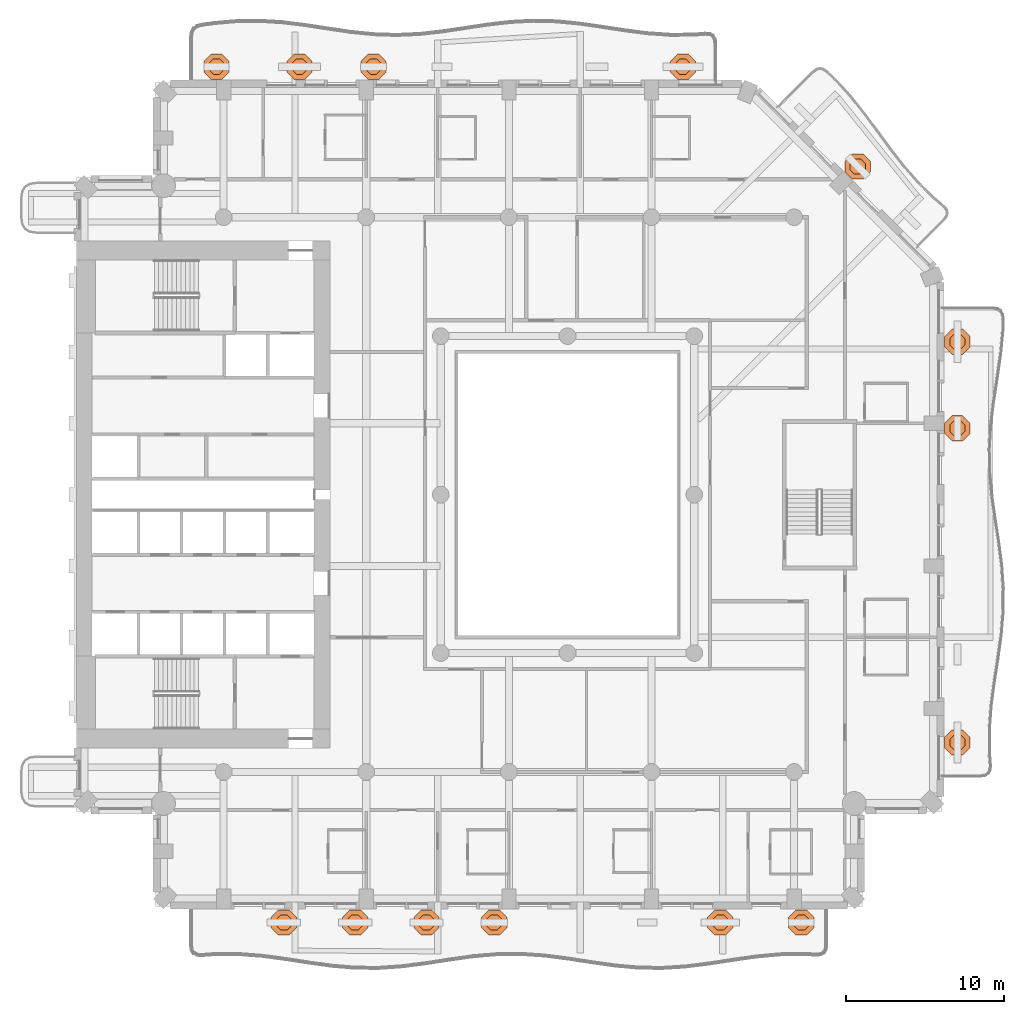
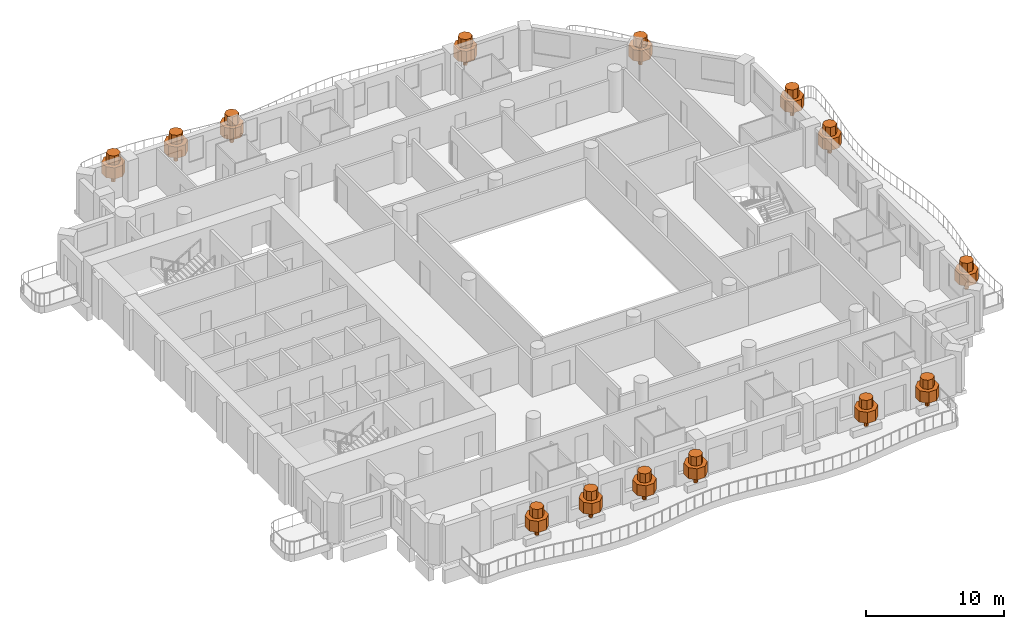
# One storey, part 19 of 19: 14 geographic elements.
"""IFC4 building model written with IfcOpenShell, lengths in metres."""

from ifc_helpers import new_model, si_unit, direction, frame, origin, place, context, subcontext, project, spatial, polyline, outline, extrude, material, type_object, element, save


model = new_model("IFC4")

# Units and contexts
model_context = context("Model", 3, precision=1e-05, world=origin(), true_north=direction((0.0, 1.0)))
body_context = subcontext(model_context, "Body", "Model", "MODEL_VIEW")
ifc_project = project(units=[si_unit("LENGTHUNIT", "METRE"), si_unit("AREAUNIT", "SQUARE_METRE"), si_unit("VOLUMEUNIT", "CUBIC_METRE"), si_unit("PLANEANGLEUNIT", "RADIAN"), si_unit("MASSUNIT", "GRAM", prefix="KILO")], contexts=[model_context])

# Site, building, storey
site_placement = place(None, origin())
site = spatial("IfcSite", under=ifc_project, at=site_placement, CompositionType="ELEMENT")
building_placement = place(site_placement, origin())
building = spatial("IfcBuilding", under=site, at=building_placement, Name="Cypress Arch Tower", CompositionType="ELEMENT")
storey_placement = place(building_placement, frame((0.0, 0.0, 105.89990234375)))
storey = spatial("IfcBuildingStorey", under=building, at=storey_placement, Name="L21", CompositionType="ELEMENT", Elevation=105.89990234375)

# Geographic elements
ifc_material = material(Name="Foliage and planting")
geographic_element_type = type_object("IfcGeographicElementType", Name="Balcony tree TR", PredefinedType="USERDEFINED", material=ifc_material)
for number, where, z_axis, x_axis, name in (
    (1, (-16.89990234375, -27.0, 0.60009765625), (0.0, 0.0, 1.0), (1.0, 0.0, 0.0), "Balcony tree L21-A03.1"),
    (2, (-12.39990234375, -27.0, 0.60009765625), (0.0, 0.0, 1.0), (1.0, 0.0, 0.0), "Balcony tree L21-A03.2"),
    (3, (-7.89990234375, -27.0, 0.60009765625), (0.0, 0.0, 1.0), (1.0, 0.0, 0.0), "Balcony tree L21-A03.3"),
    (4, (-3.625, -27.0, 0.60009765625), (0.0, 0.0, 1.0), (1.0, 0.0, 0.0), "Balcony tree L21-A03.4"),
    (5, (10.639892578125, -27.0, 0.60009765625), (0.0, 0.0, 1.0), (1.0, 0.0, 0.0), "Balcony tree L21-A03.6"),
    (6, (15.75, -27.0, 0.60009765625), (0.0, 0.0, 1.0), (1.0, 0.0, 0.0), "Balcony tree L21-A03.7"),
    (7, (25.60009765625, -15.642822265625, 0.60009765625), (0.0, 0.0, 1.0), (1.0, 0.0, 0.0), "Balcony tree L21-A06.1"),
    (8, (25.60009765625, 4.1826171875, 0.60009765625), (0.0, 0.0, 1.0), (1.0, 0.0, 0.0), "Balcony tree L21-A06.3"),
    (9, (25.60009765625, 9.642822265625, 0.60009765625), (0.0, 0.0, 1.0), (1.0, 0.0, 0.0), "Balcony tree L21-A06.4"),
    (10, (19.30712890625, 20.70703125, 0.60009765625), (0.0, 0.0, 1.0), (1.0, 0.0, 0.0), "Balcony tree L21-A07.2"),
    (11, (8.28125, 27.0, 0.60009765625), (0.0, 0.0, 1.0), (1.0, 0.0, 0.0), "Balcony tree L21-A08.1"),
    (12, (-11.24365234375, 27.0, 0.60009765625), (0.0, 0.0, 1.0), (1.0, 0.0, 0.0), "Balcony tree L21-A08.4"),
    (13, (-15.91259765625, 27.0, 0.60009765625), (0.0, 0.0, 1.0), (1.0, 0.0, 0.0), "Balcony tree L21-A08.5"),
    (14, (-21.14990234375, 27.0, 0.60009765625), (0.0, 0.0, 1.0), (1.0, 0.0, 0.0), "Balcony tree L21-A08.6"),
):
    element("IfcGeographicElement", number, at=place(storey_placement, frame(where, z_axis=z_axis, x_axis=x_axis)), inside=storey, type_object=geographic_element_type, Name=name, ObjectType="TREE", PredefinedType="USERDEFINED", context=body_context, shape_type="SweptSolid", body=[
        extrude(outline(polyline([(0.14990234375, 0.06201171875), (0.06201171875, 0.14990234375), (-0.06201171875, 0.14990234375), (-0.14990234375, 0.06201171875), (-0.14990234375, -0.06201171875), (-0.06201171875, -0.14990234375), (0.06201171875, -0.14990234375), (0.14990234375, -0.06201171875), (0.14990234375, 0.06201171875)])), origin(), (0.0, 0.0, 1.0), 0.864990234375),
        extrude(outline(polyline([(0.800048828125, 0.331298828125), (0.331298828125, 0.800048828125), (-0.331298828125, 0.800048828125), (-0.800048828125, 0.331298828125), (-0.800048828125, -0.331298828125), (-0.331298828125, -0.800048828125), (0.331298828125, -0.800048828125), (0.800048828125, -0.331298828125), (0.800048828125, 0.331298828125)])), frame((0.0, 0.0, 0.764892578125)), (0.0, 0.0, 1.0), 0.981689453125),
        extrude(outline(polyline([(0.47998046875, 0.19873046875), (0.19873046875, 0.47998046875), (-0.19873046875, 0.47998046875), (-0.47998046875, 0.19873046875), (-0.47998046875, -0.19873046875), (-0.19873046875, -0.47998046875), (0.19873046875, -0.47998046875), (0.47998046875, -0.19873046875), (0.47998046875, 0.19873046875)])), frame((0.0, 0.0, 1.746826171875)), (0.0, 0.0, 1.0), 0.80322265625),
    ])

save(model, "model.ifc")
